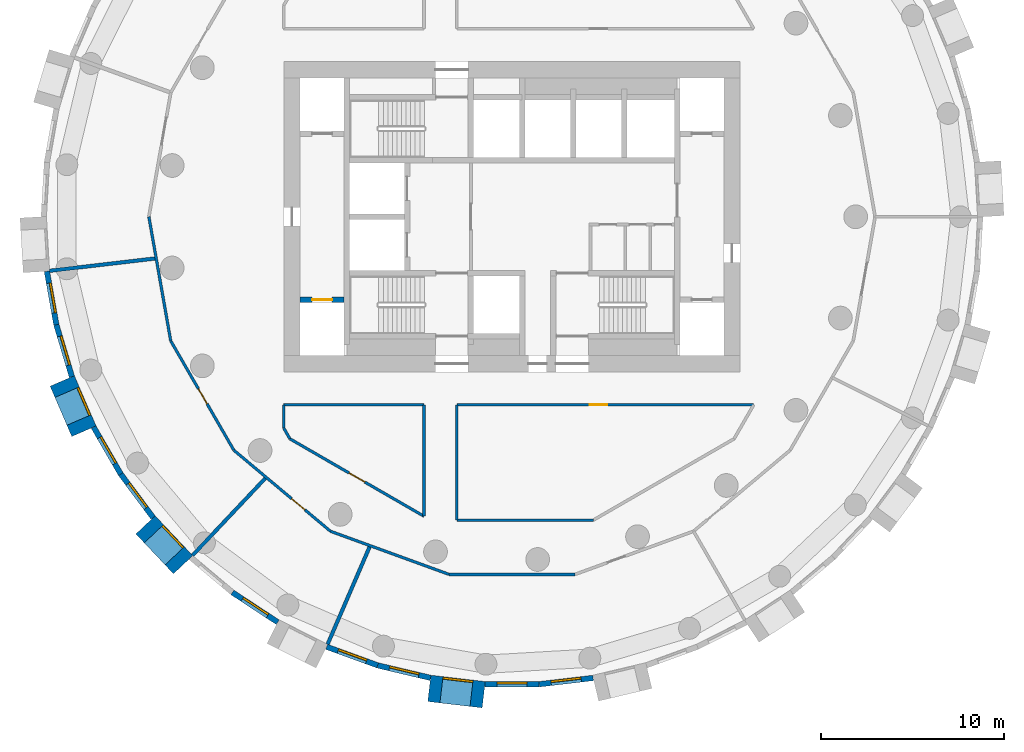
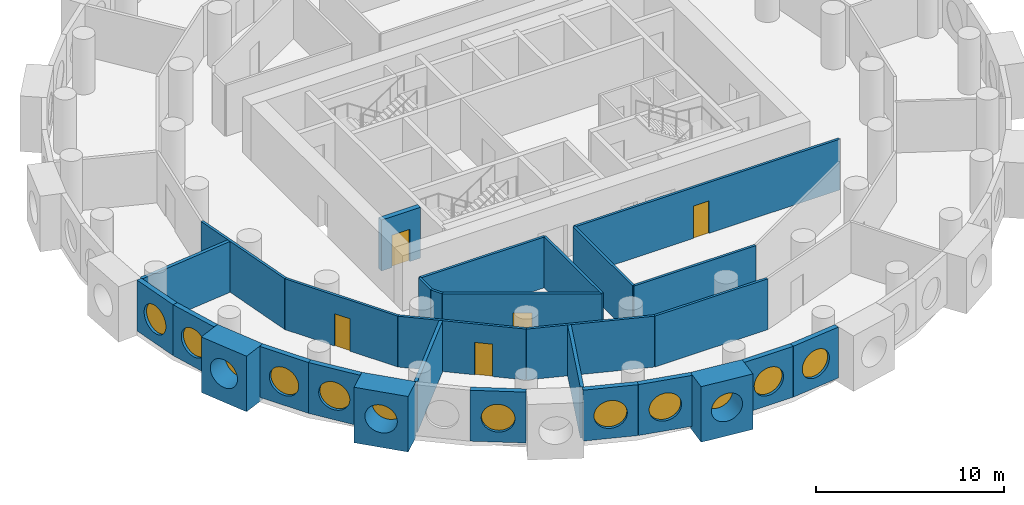
# One storey, part 2 of 9: 29 walls, 12 windows, 5 doors, 17 openings.
"""IFC4 building model written with IfcOpenShell, lengths in metres."""

from ifc_helpers import new_model, si_unit, direction, frame, frame_2d, origin, origin_2d, place, context, subcontext, project, spatial, rectangle, circle, extrude, material, layer, layer_set, type_object, element, fill, save


model = new_model("IFC4")

# Units and contexts
model_context = context("Model", 3, precision=1e-05, world=origin(), true_north=direction((0.0, 1.0)))
body_context = subcontext(model_context, "Body", "Model", "MODEL_VIEW")
ifc_project = project(units=[si_unit("LENGTHUNIT", "METRE"), si_unit("AREAUNIT", "SQUARE_METRE"), si_unit("VOLUMEUNIT", "CUBIC_METRE"), si_unit("PLANEANGLEUNIT", "RADIAN"), si_unit("MASSUNIT", "GRAM", prefix="KILO")], contexts=[model_context])

# Site, building, storey
site_placement = place(None, origin())
site = spatial("IfcSite", under=ifc_project, at=site_placement, CompositionType="ELEMENT")
building_placement = place(site_placement, origin())
building = spatial("IfcBuilding", under=site, at=building_placement, Name="Tracery Tower", CompositionType="ELEMENT")
storey_placement = place(building_placement, frame((0.0, 0.0, 151.199951171875)))
storey = spatial("IfcBuildingStorey", under=building, at=storey_placement, Name="L38", CompositionType="ELEMENT", Elevation=151.199951171875)

# Wall, opening, window
ifc_material_1 = material(Name="Precast concrete C50/60", Category="concrete")
ifc_layer_1 = layer(ifc_material_1, 1.449951171875)
ifc_layer_set_1 = layer_set([ifc_layer_1], Name="Deep-set bay unit 3000 x 3600, slab edge 300")
wall_type_1 = type_object("IfcWallType", Name="Deep-set bay unit 3000 x 3600, slab edge 300", PredefinedType="ELEMENTEDWALL", material=ifc_layer_set_1)
wall_1_placement = place(storey_placement, frame((-24.632080078125, -8.99169921875, -0.300048828125), z_axis=(0.0, 0.0, 1.0), x_axis=(0.396079003245, -0.918216435917, 0.0)))
wall_1 = element("IfcWall", 1, at=wall_1_placement, inside=storey, type_object=wall_type_1, Name="Deep-set bay unit 31 at L38", PredefinedType="ELEMENTEDWALL", context=body_context, shape_type="SweptSolid", body=[
    extrude(rectangle(XDim=3.0, YDim=1.449951171875, at=frame_2d((1.5, 0.0))), origin(), (0.0, 0.0, 1.0), 3.60009765625),
])
opening_1_placement = place(wall_1_placement, frame((1.5, 0.0, 1.85009765625)))
opening_1 = element("IfcOpeningElement", 2, at=opening_1_placement, cuts=wall_1, Name="Opening WN1", PredefinedType="OPENING", context=body_context, shape_type="SweptSolid", body=[
    extrude(circle(Radius=0.9000244140625, at=origin_2d()), frame((0.0, 0.73486328125, 0.0), z_axis=(0.0, -1.0, 0.0), x_axis=(1.0, 0.0, 0.0)), (0.0, 0.0, 1.0), 1.469970703125),
])
ifc_material_2 = material(Name="Aluminium frame with tinted double glazing", Category="aluminium")
window_type = type_object("IfcWindowType", Name="Round window 1800", PartitioningType="SINGLE_PANEL", PredefinedType="WINDOW", material=ifc_material_2)
window_1_placement = place(opening_1_placement, origin())
window_1 = element("IfcWindow", 3, at=window_1_placement, inside=storey, type_object=window_type, Name="Round window 31 at L38", OverallHeight=1.800048828125, OverallWidth=1.800048828125, PartitioningType="SINGLE_PANEL", PredefinedType="WINDOW", context=body_context, shape_type="SweptSolid", body=[
    extrude(circle(Radius=0.9000244140625, at=origin_2d()), frame((0.0, 0.69482421875, 0.0), z_axis=(0.0, -1.0, 0.0), x_axis=(1.0, 0.0, 0.0)), (0.0, 0.0, 1.0), 0.10009765625),
])
fill(opening_1, window_1)

wall_2_placement = place(storey_placement, frame((-20.0712890625, -16.8740234375, -0.300048828125), z_axis=(0.0, 0.0, 1.0), x_axis=(0.686217177108, -0.727396718334, 0.0)))
wall_2 = element("IfcWall", 4, at=wall_2_placement, inside=storey, type_object=wall_type_1, Name="Deep-set bay unit 34 at L38", PredefinedType="ELEMENTEDWALL", context=body_context, shape_type="SweptSolid", body=[
    extrude(rectangle(XDim=3.0, YDim=1.449951171875, at=frame_2d((1.5, 0.0))), origin(), (0.0, 0.0, 1.0), 3.60009765625),
])
opening_2_placement = place(wall_2_placement, frame((1.5, 0.0, 1.85009765625)))
opening_2 = element("IfcOpeningElement", 5, at=opening_2_placement, cuts=wall_2, Name="Opening WN1", PredefinedType="OPENING", context=body_context, shape_type="SweptSolid", body=[
    extrude(circle(Radius=0.9000244140625, at=origin_2d()), frame((0.0, 0.73486328125, 0.0), z_axis=(0.0, -1.0, 0.0), x_axis=(1.0, 0.0, 0.0)), (0.0, 0.0, 1.0), 1.469970703125),
])
window_2_placement = place(opening_2_placement, origin())
window_2 = element("IfcWindow", 6, at=window_2_placement, inside=storey, type_object=window_type, Name="Round window 34 at L38", OverallHeight=1.800048828125, OverallWidth=1.800048828125, PartitioningType="SINGLE_PANEL", PredefinedType="WINDOW", context=body_context, shape_type="SweptSolid", body=[
    extrude(circle(Radius=0.9000244140625, at=origin_2d()), frame((0.0, 0.69482421875, 0.0), z_axis=(0.0, -1.0, 0.0), x_axis=(1.0, 0.0, 0.0)), (0.0, 0.0, 1.0), 0.10009765625),
])
fill(opening_2, window_2)

wall_3_placement = place(storey_placement, frame((-4.529052734375, -25.827880859375, -0.300048828125), z_axis=(0.0, 0.0, 1.0), x_axis=(0.9932342274, -0.116128246006, 0.0)))
wall_3 = element("IfcWall", 7, at=wall_3_placement, inside=storey, type_object=wall_type_1, Name="Deep-set bay unit 40 at L38", PredefinedType="ELEMENTEDWALL", context=body_context, shape_type="SweptSolid", body=[
    extrude(rectangle(XDim=3.0, YDim=1.449951171875, at=frame_2d((1.5, 0.0))), origin(), (0.0, 0.0, 1.0), 3.60009765625),
])
opening_3_placement = place(wall_3_placement, frame((1.5, 0.0, 1.85009765625)))
opening_3 = element("IfcOpeningElement", 8, at=opening_3_placement, cuts=wall_3, Name="Opening WN1", PredefinedType="OPENING", context=body_context, shape_type="SweptSolid", body=[
    extrude(circle(Radius=0.9000244140625, at=origin_2d()), frame((0.0, 0.73486328125, 0.0), z_axis=(0.0, -1.0, 0.0), x_axis=(1.0, 0.0, 0.0)), (0.0, 0.0, 1.0), 1.469970703125),
])
window_3_placement = place(opening_3_placement, origin())
window_3 = element("IfcWindow", 9, at=window_3_placement, inside=storey, type_object=window_type, Name="Round window 40 at L38", OverallHeight=1.800048828125, OverallWidth=1.800048828125, PartitioningType="SINGLE_PANEL", PredefinedType="WINDOW", context=body_context, shape_type="SweptSolid", body=[
    extrude(circle(Radius=0.9000244140625, at=origin_2d()), frame((0.0, 0.69482421875, 0.0), z_axis=(0.0, -1.0, 0.0), x_axis=(1.0, 0.0, 0.0)), (0.0, 0.0, 1.0), 0.10009765625),
])
fill(opening_3, window_3)

ifc_material_3 = material(Name="Precast concrete C50/60", Category="concrete")
ifc_layer_2 = layer(ifc_material_3, 0.300048828125)
ifc_layer_set_2 = layer_set([ifc_layer_2], Name="Facade panel 3000 x 3300")
wall_type_2 = type_object("IfcWallType", Name="Facade panel 3000 x 3300", PredefinedType="SOLIDWALL", material=ifc_layer_set_2)
wall_4_placement = place(storey_placement, frame((-25.472412109375, -2.987060546875, 0.0), z_axis=(0.0, 0.0, 1.0), x_axis=(0.173686952598, -0.984800915159, 0.0)))
wall_4 = element("IfcWall", 10, at=wall_4_placement, inside=storey, type_object=wall_type_2, Name="Facade panel 29 at L38", PredefinedType="SOLIDWALL", context=body_context, shape_type="SweptSolid", body=[
    extrude(rectangle(XDim=2.972900390625, YDim=0.300048828125, at=frame_2d((1.486328125, 0.0))), origin(), (0.0, 0.0, 1.0), 3.300048828125),
])
opening_4_placement = place(wall_4_placement, frame((1.486328125, 0.0, 1.5498046875)))
opening_4 = element("IfcOpeningElement", 11, at=opening_4_placement, cuts=wall_4, Name="Opening WN1", PredefinedType="OPENING", context=body_context, shape_type="SweptSolid", body=[
    extrude(circle(Radius=0.9000244140625, at=origin_2d()), frame((0.0, 0.159912109375, 0.0), z_axis=(0.0, -1.0, 0.0), x_axis=(1.0, 0.0, 0.0)), (0.0, 0.0, 1.0), 0.320068359375),
])
window_4_placement = place(opening_4_placement, origin())
window_4 = element("IfcWindow", 12, at=window_4_placement, inside=storey, type_object=window_type, Name="Round window 29 at L38", OverallHeight=1.800048828125, OverallWidth=1.800048828125, PartitioningType="SINGLE_PANEL", PredefinedType="WINDOW", context=body_context, shape_type="SweptSolid", body=[
    extrude(circle(Radius=0.9000244140625, at=origin_2d()), frame((0.0, 0.1201171875, 0.0), z_axis=(0.0, -1.0, 0.0), x_axis=(1.0, 0.0, 0.0)), (0.0, 0.0, 1.0), 0.10009765625),
])
fill(opening_4, window_4)

wall_5_placement = place(storey_placement, frame((-24.9560546875, -5.914794921875, 0.0), z_axis=(0.0, 0.0, 1.0), x_axis=(0.286782750849, -0.957995643944, 0.0)))
wall_5 = element("IfcWall", 13, at=wall_5_placement, inside=storey, type_object=wall_type_2, Name="Facade panel 30 at L38", PredefinedType="SOLIDWALL", context=body_context, shape_type="SweptSolid", body=[
    extrude(rectangle(XDim=2.97265625, YDim=0.300048828125, at=frame_2d((1.486328125, 0.0))), origin(), (0.0, 0.0, 1.0), 3.300048828125),
])
opening_5_placement = place(wall_5_placement, frame((1.486328125, 0.0, 1.5498046875)))
opening_5 = element("IfcOpeningElement", 14, at=opening_5_placement, cuts=wall_5, Name="Opening WN1", PredefinedType="OPENING", context=body_context, shape_type="SweptSolid", body=[
    extrude(circle(Radius=0.9000244140625, at=origin_2d()), frame((0.0, 0.159912109375, 0.0), z_axis=(0.0, -1.0, 0.0), x_axis=(1.0, 0.0, 0.0)), (0.0, 0.0, 1.0), 0.320068359375),
])
window_5_placement = place(opening_5_placement, origin())
window_5 = element("IfcWindow", 15, at=window_5_placement, inside=storey, type_object=window_type, Name="Round window 30 at L38", OverallHeight=1.800048828125, OverallWidth=1.800048828125, PartitioningType="SINGLE_PANEL", PredefinedType="WINDOW", context=body_context, shape_type="SweptSolid", body=[
    extrude(circle(Radius=0.9000244140625, at=origin_2d()), frame((0.0, 0.1201171875, 0.0), z_axis=(0.0, -1.0, 0.0), x_axis=(1.0, 0.0, 0.0)), (0.0, 0.0, 1.0), 0.10009765625),
])
fill(opening_5, window_5)

wall_6_placement = place(storey_placement, frame((-22.91455078125, -11.518798828125, 0.0), z_axis=(0.0, 0.0, 1.0), x_axis=(0.499954672104, -0.866051572276, 0.0)))
wall_6 = element("IfcWall", 16, at=wall_6_placement, inside=storey, type_object=wall_type_2, Name="Facade panel 32 at L38", PredefinedType="SOLIDWALL", context=body_context, shape_type="SweptSolid", body=[
    extrude(rectangle(XDim=2.972900390625, YDim=0.300048828125, at=frame_2d((1.486328125, 0.0))), origin(), (0.0, 0.0, 1.0), 3.300048828125),
])
opening_6_placement = place(wall_6_placement, frame((1.486328125, 0.0, 1.5498046875)))
opening_6 = element("IfcOpeningElement", 17, at=opening_6_placement, cuts=wall_6, Name="Opening WN1", PredefinedType="OPENING", context=body_context, shape_type="SweptSolid", body=[
    extrude(circle(Radius=0.9000244140625, at=origin_2d()), frame((0.0, 0.159912109375, 0.0), z_axis=(0.0, -1.0, 0.0), x_axis=(1.0, 0.0, 0.0)), (0.0, 0.0, 1.0), 0.320068359375),
])
window_6_placement = place(opening_6_placement, origin())
window_6 = element("IfcWindow", 18, at=window_6_placement, inside=storey, type_object=window_type, Name="Round window 32 at L38", OverallHeight=1.800048828125, OverallWidth=1.800048828125, PartitioningType="SINGLE_PANEL", PredefinedType="WINDOW", context=body_context, shape_type="SweptSolid", body=[
    extrude(circle(Radius=0.9000244140625, at=origin_2d()), frame((0.0, 0.1201171875, 0.0), z_axis=(0.0, -1.0, 0.0), x_axis=(1.0, 0.0, 0.0)), (0.0, 0.0, 1.0), 0.10009765625),
])
fill(opening_6, window_6)

wall_7_placement = place(storey_placement, frame((-21.42822265625, -14.093505859375, 0.0), z_axis=(0.0, 0.0, 1.0), x_axis=(0.597197580538, -0.80209416517, 0.0)))
wall_7 = element("IfcWall", 19, at=wall_7_placement, inside=storey, type_object=wall_type_2, Name="Facade panel 33 at L38", PredefinedType="SOLIDWALL", context=body_context, shape_type="SweptSolid", body=[
    extrude(rectangle(XDim=2.972900390625, YDim=0.300048828125, at=frame_2d((1.486328125, 0.0))), origin(), (0.0, 0.0, 1.0), 3.300048828125),
])
opening_7_placement = place(wall_7_placement, frame((1.486328125, 0.0, 1.5498046875)))
opening_7 = element("IfcOpeningElement", 20, at=opening_7_placement, cuts=wall_7, Name="Opening WN1", PredefinedType="OPENING", context=body_context, shape_type="SweptSolid", body=[
    extrude(circle(Radius=0.9000244140625, at=origin_2d()), frame((0.0, 0.159912109375, 0.0), z_axis=(0.0, -1.0, 0.0), x_axis=(1.0, 0.0, 0.0)), (0.0, 0.0, 1.0), 0.320068359375),
])
window_7_placement = place(opening_7_placement, origin())
window_7 = element("IfcWindow", 21, at=window_7_placement, inside=storey, type_object=window_type, Name="Round window 33 at L38", OverallHeight=1.800048828125, OverallWidth=1.800048828125, PartitioningType="SINGLE_PANEL", PredefinedType="WINDOW", context=body_context, shape_type="SweptSolid", body=[
    extrude(circle(Radius=0.9000244140625, at=origin_2d()), frame((0.0, 0.1201171875, 0.0), z_axis=(0.0, -1.0, 0.0), x_axis=(1.0, 0.0, 0.0)), (0.0, 0.0, 1.0), 0.10009765625),
])
fill(opening_7, window_7)

wall_8_placement = place(storey_placement, frame((-15.315673828125, -20.572509765625, 0.0), z_axis=(0.0, 0.0, 1.0), x_axis=(0.835508361394, -0.54947773207, 0.0)))
wall_8 = element("IfcWall", 22, at=wall_8_placement, inside=storey, type_object=wall_type_2, Name="Facade panel 36 at L38", PredefinedType="SOLIDWALL", context=body_context, shape_type="SweptSolid", body=[
    extrude(rectangle(XDim=2.972900390625, YDim=0.300048828125, at=frame_2d((1.486328125, 0.0))), origin(), (0.0, 0.0, 1.0), 3.300048828125),
])
opening_8_placement = place(wall_8_placement, frame((1.486328125, 0.0, 1.5498046875)))
opening_8 = element("IfcOpeningElement", 23, at=opening_8_placement, cuts=wall_8, Name="Opening WN1", PredefinedType="OPENING", context=body_context, shape_type="SweptSolid", body=[
    extrude(circle(Radius=0.9000244140625, at=origin_2d()), frame((0.0, 0.159912109375, 0.0), z_axis=(0.0, -1.0, 0.0), x_axis=(1.0, 0.0, 0.0)), (0.0, 0.0, 1.0), 0.320068359375),
])
window_8_placement = place(opening_8_placement, origin())
window_8 = element("IfcWindow", 24, at=window_8_placement, inside=storey, type_object=window_type, Name="Round window 36 at L38", OverallHeight=1.800048828125, OverallWidth=1.800048828125, PartitioningType="SINGLE_PANEL", PredefinedType="WINDOW", context=body_context, shape_type="SweptSolid", body=[
    extrude(circle(Radius=0.9000244140625, at=origin_2d()), frame((0.0, 0.1201171875, 0.0), z_axis=(0.0, -1.0, 0.0), x_axis=(1.0, 0.0, 0.0)), (0.0, 0.0, 1.0), 0.10009765625),
])
fill(opening_8, window_8)

wall_9_placement = place(storey_placement, frame((-10.1494140625, -23.55322265625, 0.0), z_axis=(0.0, 0.0, 1.0), x_axis=(0.939690282133, -0.342026568652, 0.0)))
wall_9 = element("IfcWall", 25, at=wall_9_placement, inside=storey, type_object=wall_type_2, Name="Facade panel 38 at L38", PredefinedType="SOLIDWALL", context=body_context, shape_type="SweptSolid", body=[
    extrude(rectangle(XDim=2.972900390625, YDim=0.300048828125, at=frame_2d((1.486328125, 0.0))), origin(), (0.0, 0.0, 1.0), 3.300048828125),
])
opening_9_placement = place(wall_9_placement, frame((1.486328125, 0.0, 1.5498046875)))
opening_9 = element("IfcOpeningElement", 26, at=opening_9_placement, cuts=wall_9, Name="Opening WN1", PredefinedType="OPENING", context=body_context, shape_type="SweptSolid", body=[
    extrude(circle(Radius=0.9000244140625, at=origin_2d()), frame((0.0, 0.159912109375, 0.0), z_axis=(0.0, -1.0, 0.0), x_axis=(1.0, 0.0, 0.0)), (0.0, 0.0, 1.0), 0.320068359375),
])
window_9_placement = place(opening_9_placement, origin())
window_9 = element("IfcWindow", 27, at=window_9_placement, inside=storey, type_object=window_type, Name="Round window 38 at L38", OverallHeight=1.800048828125, OverallWidth=1.800048828125, PartitioningType="SINGLE_PANEL", PredefinedType="WINDOW", context=body_context, shape_type="SweptSolid", body=[
    extrude(circle(Radius=0.9000244140625, at=origin_2d()), frame((0.0, 0.1201171875, 0.0), z_axis=(0.0, -1.0, 0.0), x_axis=(1.0, 0.0, 0.0)), (0.0, 0.0, 1.0), 0.10009765625),
])
fill(opening_9, window_9)

wall_10_placement = place(storey_placement, frame((-7.355712890625, -24.570068359375, 0.0), z_axis=(0.0, 0.0, 1.0), x_axis=(0.973045378923, -0.230613725862, 0.0)))
wall_10 = element("IfcWall", 28, at=wall_10_placement, inside=storey, type_object=wall_type_2, Name="Facade panel 39 at L38", PredefinedType="SOLIDWALL", context=body_context, shape_type="SweptSolid", body=[
    extrude(rectangle(XDim=2.97265625, YDim=0.300048828125, at=frame_2d((1.486328125, 0.0))), origin(), (0.0, 0.0, 1.0), 3.300048828125),
])
opening_10_placement = place(wall_10_placement, frame((1.486328125, 0.0, 1.5498046875)))
opening_10 = element("IfcOpeningElement", 29, at=opening_10_placement, cuts=wall_10, Name="Opening WN1", PredefinedType="OPENING", context=body_context, shape_type="SweptSolid", body=[
    extrude(circle(Radius=0.9000244140625, at=origin_2d()), frame((0.0, 0.159912109375, 0.0), z_axis=(0.0, -1.0, 0.0), x_axis=(1.0, 0.0, 0.0)), (0.0, 0.0, 1.0), 0.320068359375),
])
window_10_placement = place(opening_10_placement, origin())
window_10 = element("IfcWindow", 30, at=window_10_placement, inside=storey, type_object=window_type, Name="Round window 39 at L38", OverallHeight=1.800048828125, OverallWidth=1.800048828125, PartitioningType="SINGLE_PANEL", PredefinedType="WINDOW", context=body_context, shape_type="SweptSolid", body=[
    extrude(circle(Radius=0.9000244140625, at=origin_2d()), frame((0.0, 0.1201171875, 0.0), z_axis=(0.0, -1.0, 0.0), x_axis=(1.0, 0.0, 0.0)), (0.0, 0.0, 1.0), 0.10009765625),
])
fill(opening_10, window_10)

wall_11_placement = place(storey_placement, frame((-1.481689453125, -25.60400390625, 0.0), z_axis=(0.0, 0.0, 1.0), x_axis=(1.0, 0.0, 0.0)))
wall_11 = element("IfcWall", 31, at=wall_11_placement, inside=storey, type_object=wall_type_2, Name="Facade panel 41 at L38", PredefinedType="SOLIDWALL", context=body_context, shape_type="SweptSolid", body=[
    extrude(rectangle(XDim=2.972900390625, YDim=0.300048828125, at=frame_2d((1.486328125, 0.0))), origin(), (0.0, 0.0, 1.0), 3.300048828125),
])
opening_11_placement = place(wall_11_placement, frame((1.486328125, 0.0, 1.5498046875)))
opening_11 = element("IfcOpeningElement", 32, at=opening_11_placement, cuts=wall_11, Name="Opening WN1", PredefinedType="OPENING", context=body_context, shape_type="SweptSolid", body=[
    extrude(circle(Radius=0.9000244140625, at=origin_2d()), frame((0.0, 0.159912109375, 0.0), z_axis=(0.0, -1.0, 0.0), x_axis=(1.0, 0.0, 0.0)), (0.0, 0.0, 1.0), 0.320068359375),
])
window_11_placement = place(opening_11_placement, origin())
window_11 = element("IfcWindow", 33, at=window_11_placement, inside=storey, type_object=window_type, Name="Round window 41 at L38", OverallHeight=1.800048828125, OverallWidth=1.800048828125, PartitioningType="SINGLE_PANEL", PredefinedType="WINDOW", context=body_context, shape_type="SweptSolid", body=[
    extrude(circle(Radius=0.9000244140625, at=origin_2d()), frame((0.0, 0.1201171875, 0.0), z_axis=(0.0, -1.0, 0.0), x_axis=(1.0, 0.0, 0.0)), (0.0, 0.0, 1.0), 0.10009765625),
])
fill(opening_11, window_11)

wall_12_placement = place(storey_placement, frame((1.4912109375, -25.60400390625, 0.0), z_axis=(0.0, 0.0, 1.0), x_axis=(0.993245010522, 0.1160359818, 0.0)))
wall_12 = element("IfcWall", 34, at=wall_12_placement, inside=storey, type_object=wall_type_2, Name="Facade panel 42 at L38", PredefinedType="SOLIDWALL", context=body_context, shape_type="SweptSolid", body=[
    extrude(rectangle(XDim=2.972900390625, YDim=0.300048828125, at=frame_2d((1.486328125, 0.0))), origin(), (0.0, 0.0, 1.0), 3.300048828125),
])
opening_12_placement = place(wall_12_placement, frame((1.486328125, 0.0, 1.5498046875)))
opening_12 = element("IfcOpeningElement", 35, at=opening_12_placement, cuts=wall_12, Name="Opening WN1", PredefinedType="OPENING", context=body_context, shape_type="SweptSolid", body=[
    extrude(circle(Radius=0.9000244140625, at=origin_2d()), frame((0.0, 0.159912109375, 0.0), z_axis=(0.0, -1.0, 0.0), x_axis=(1.0, 0.0, 0.0)), (0.0, 0.0, 1.0), 0.320068359375),
])
window_12_placement = place(opening_12_placement, origin())
window_12 = element("IfcWindow", 36, at=window_12_placement, inside=storey, type_object=window_type, Name="Round window 42 at L38", OverallHeight=1.800048828125, OverallWidth=1.800048828125, PartitioningType="SINGLE_PANEL", PredefinedType="WINDOW", context=body_context, shape_type="SweptSolid", body=[
    extrude(circle(Radius=0.9000244140625, at=origin_2d()), frame((0.0, 0.1201171875, 0.0), z_axis=(0.0, -1.0, 0.0), x_axis=(1.0, 0.0, 0.0)), (0.0, 0.0, 1.0), 0.10009765625),
])
fill(opening_12, window_12)

# Wall
ifc_material_4 = material(Name="Plasterboard on steel studs", Category="steel")
ifc_layer_3 = layer(ifc_material_4, 0.14990234375)
ifc_layer_set_3 = layer_set([ifc_layer_3], Name="Partition 150 corridor wall")
wall_type_3 = type_object("IfcWallType", Name="Partition 150 corridor wall", PredefinedType="PARTITIONING", material=ifc_layer_set_3)
wall_13_placement = place(storey_placement, frame((-12.50390625, -10.300048828125, 0.0), z_axis=(0.0, 0.0, 1.0), x_axis=(1.0, 0.0, 0.0)))
element("IfcWall", 37, at=wall_13_placement, inside=storey, type_object=wall_type_3, Name="Corridor wall RB3-003", PredefinedType="PARTITIONING", context=body_context, shape_type="SweptSolid", body=[
    extrude(rectangle(XDim=7.68701171875, YDim=0.14990234375, at=frame_2d((3.843505859375, 0.0))), origin(), (0.0, 0.0, 1.0), 3.300048828125),
])

# Wall, opening, door
wall_14_placement = place(storey_placement, frame((-3.02490234375, -10.300048828125, 0.0), z_axis=(0.0, 0.0, 1.0), x_axis=(1.0, 0.0, 0.0)))
wall_14 = element("IfcWall", 38, at=wall_14_placement, inside=storey, type_object=wall_type_3, Name="Corridor wall RB3-004", PredefinedType="PARTITIONING", context=body_context, shape_type="SweptSolid", body=[
    extrude(rectangle(XDim=16.261962890625, YDim=0.14990234375, at=frame_2d((8.130859375, 0.0))), origin(), (0.0, 0.0, 1.0), 3.300048828125),
])
opening_13_placement = place(wall_14_placement, frame((7.287109375, 0.0, 0.0)))
opening_13 = element("IfcOpeningElement", 39, at=opening_13_placement, cuts=wall_14, Name="Opening RB3-04", PredefinedType="OPENING", context=body_context, shape_type="SweptSolid", body=[
    extrude(rectangle(XDim=0.949951171875, YDim=2.10009765625, at=frame_2d((0.47509765625, 1.050048828125))), frame((0.0, 0.074951171875, 0.0), z_axis=(0.0, -1.0, 0.0), x_axis=(1.0, 0.0, 0.0)), (0.0, 0.0, 1.0), 0.14990234375),
])
ifc_material_5 = material(Name="Timber door leaf", Category="wood")
door_type_1 = type_object("IfcDoorType", Name="Door store 950", OperationType="NOTDEFINED", PredefinedType="DOOR", material=ifc_material_5)
door_1_placement = place(opening_13_placement, origin())
door_1 = element("IfcDoor", 40, at=door_1_placement, inside=storey, type_object=door_type_1, Name="Store door RB3-04", OperationType="SINGLE_SWING_RIGHT", OverallHeight=2.10009765625, OverallWidth=0.949951171875, PredefinedType="DOOR", context=body_context, shape_type="SweptSolid", body=[
    extrude(rectangle(XDim=0.949951171875, YDim=2.10009765625, at=frame_2d((0.47509765625, 1.050048828125))), frame((0.0, 0.02490234375, 0.0), z_axis=(0.0, -1.0, 0.0), x_axis=(1.0, 0.0, 0.0)), (0.0, 0.0, 1.0), 0.050048828125),
])
fill(opening_13, door_1)

# Walls
wall_15_placement = place(storey_placement, frame((-12.5, -11.576904296875, 0.0), z_axis=(0.0, 0.0, 1.0), x_axis=(0.0, 1.0, 0.0)))
element("IfcWall", 41, at=wall_15_placement, inside=storey, type_object=wall_type_3, Name="Corridor wall RB3-024", PredefinedType="PARTITIONING", context=body_context, shape_type="SweptSolid", body=[
    extrude(rectangle(XDim=1.27685546875, YDim=0.14990234375, at=frame_2d((0.638427734375, 0.0))), origin(), (0.0, 0.0, 1.0), 3.300048828125),
])
wall_16_placement = place(storey_placement, frame((-12.5, -11.576904296875, 0.0), z_axis=(0.0, 0.0, 1.0), x_axis=(0.500024767483, -0.866011103799, 0.0)))
element("IfcWall", 42, at=wall_16_placement, inside=storey, type_object=wall_type_3, Name="Corridor wall RB3-025", PredefinedType="PARTITIONING", context=body_context, shape_type="SweptSolid", body=[
    extrude(rectangle(XDim=0.67578125, YDim=0.14990234375, at=frame_2d((0.337890625, 0.0))), origin(), (0.0, 0.0, 1.0), 3.300048828125),
])
wall_17_placement = place(storey_placement, frame((-19.887939453125, 0.0, 0.0), z_axis=(0.0, 0.0, 1.0), x_axis=(0.173482860149, -0.984836888644, 0.0)))
element("IfcWall", 43, at=wall_17_placement, inside=storey, type_object=wall_type_3, Name="Corridor wall RB3-027", PredefinedType="PARTITIONING", context=body_context, shape_type="SweptSolid", body=[
    extrude(rectangle(XDim=6.906982421875, YDim=0.14990234375, at=frame_2d((3.45361328125, 0.0))), origin(), (0.0, 0.0, 1.0), 3.300048828125),
])

# Wall, opening, door
wall_18_placement = place(storey_placement, frame((-15.235107421875, -12.783935546875, 0.0), z_axis=(0.0, 0.0, 1.0), x_axis=(0.766192104565, -0.642611592567, 0.0)))
wall_18 = element("IfcWall", 44, at=wall_18_placement, inside=storey, type_object=wall_type_3, Name="Corridor wall RB3-029", PredefinedType="PARTITIONING", context=body_context, shape_type="SweptSolid", body=[
    extrude(rectangle(XDim=6.906494140625, YDim=0.14990234375, at=frame_2d((3.453125, 0.0))), origin(), (0.0, 0.0, 1.0), 3.300048828125),
])
opening_14_placement = place(wall_18_placement, frame((4.132568359375, 0.0, 0.0)))
opening_14 = element("IfcOpeningElement", 45, at=opening_14_placement, cuts=wall_18, Name="Opening RB3-16", PredefinedType="OPENING", context=body_context, shape_type="SweptSolid", body=[
    extrude(rectangle(XDim=0.949951171875, YDim=2.10009765625, at=frame_2d((0.47509765625, 1.050048828125))), frame((0.0, 0.074951171875, 0.0), z_axis=(0.0, -1.0, 0.0), x_axis=(1.0, 0.0, 0.0)), (0.0, 0.0, 1.0), 0.14990234375),
])
door_2_placement = place(opening_14_placement, origin())
door_2 = element("IfcDoor", 46, at=door_2_placement, inside=storey, type_object=door_type_1, Name="Store door RB3-16", OperationType="SINGLE_SWING_LEFT", OverallHeight=2.10009765625, OverallWidth=0.949951171875, PredefinedType="DOOR", context=body_context, shape_type="SweptSolid", body=[
    extrude(rectangle(XDim=0.949951171875, YDim=2.10009765625, at=frame_2d((0.47509765625, 1.050048828125))), frame((0.0, 0.02490234375, 0.0), z_axis=(0.0, -1.0, 0.0), x_axis=(1.0, 0.0, 0.0)), (0.0, 0.0, 1.0), 0.050048828125),
])
fill(opening_14, door_2)

wall_19_placement = place(storey_placement, frame((-18.68798828125, -6.802001953125, 0.0), z_axis=(0.0, 0.0, 1.0), x_axis=(0.499914202267, -0.866074933462, 0.0)))
wall_19 = element("IfcWall", 47, at=wall_19_placement, inside=storey, type_object=wall_type_3, Name="Corridor wall RB3-030", PredefinedType="PARTITIONING", context=body_context, shape_type="SweptSolid", body=[
    extrude(rectangle(XDim=6.906982421875, YDim=0.14990234375, at=frame_2d((3.45361328125, 0.0))), origin(), (0.0, 0.0, 1.0), 3.300048828125),
])
opening_15_placement = place(wall_19_placement, frame((3.028076171875, 0.0, 0.0)))
opening_15 = element("IfcOpeningElement", 48, at=opening_15_placement, cuts=wall_19, Name="Opening RB3-15", PredefinedType="OPENING", context=body_context, shape_type="SweptSolid", body=[
    extrude(rectangle(XDim=0.949951171875, YDim=2.10009765625, at=frame_2d((0.47509765625, 1.050048828125))), frame((0.0, 0.074951171875, 0.0), z_axis=(0.0, -1.0, 0.0), x_axis=(1.0, 0.0, 0.0)), (0.0, 0.0, 1.0), 0.14990234375),
])
door_3_placement = place(opening_15_placement, origin())
door_3 = element("IfcDoor", 49, at=door_3_placement, inside=storey, type_object=door_type_1, Name="Store door RB3-15", OperationType="SINGLE_SWING_LEFT", OverallHeight=2.10009765625, OverallWidth=0.949951171875, PredefinedType="DOOR", context=body_context, shape_type="SweptSolid", body=[
    extrude(rectangle(XDim=0.949951171875, YDim=2.10009765625, at=frame_2d((0.47509765625, 1.050048828125))), frame((0.0, 0.02490234375, 0.0), z_axis=(0.0, -1.0, 0.0), x_axis=(1.0, 0.0, 0.0)), (0.0, 0.0, 1.0), 0.050048828125),
])
fill(opening_15, door_3)

wall_20_placement = place(storey_placement, frame((-12.162109375, -12.162109375, 0.0), z_axis=(0.0, 0.0, 1.0), x_axis=(0.866004766557, -0.500035743023, 0.0)))
wall_20 = element("IfcWall", 50, at=wall_20_placement, inside=storey, type_object=wall_type_3, Name="Corridor wall RB3-031", PredefinedType="PARTITIONING", context=body_context, shape_type="SweptSolid", body=[
    extrude(rectangle(XDim=8.47705078125, YDim=0.14990234375, at=frame_2d((4.238525390625, 0.0))), origin(), (0.0, 0.0, 1.0), 3.300048828125),
])
opening_16_placement = place(wall_20_placement, frame((3.738037109375, 0.0, 0.0)))
opening_16 = element("IfcOpeningElement", 51, at=opening_16_placement, cuts=wall_20, Name="Opening RB3-03", PredefinedType="OPENING", context=body_context, shape_type="SweptSolid", body=[
    extrude(rectangle(XDim=1.0, YDim=2.0400390625, at=frame_2d((0.5, 1.02001953125))), frame((0.0, 0.074951171875, 0.0), z_axis=(0.0, -1.0, 0.0), x_axis=(1.0, 0.0, 0.0)), (0.0, 0.0, 1.0), 0.14990234375),
])
ifc_material_6 = material(Name="Timber door leaf", Category="wood")
door_type_2 = type_object("IfcDoorType", Name="Door communal room 1000", OperationType="NOTDEFINED", PredefinedType="DOOR", material=ifc_material_6)
door_4_placement = place(opening_16_placement, origin())
door_4 = element("IfcDoor", 52, at=door_4_placement, inside=storey, type_object=door_type_2, Name="Communal room door RB3-03", OperationType="SINGLE_SWING_LEFT", OverallHeight=2.0400390625, OverallWidth=1.0, PredefinedType="DOOR", context=body_context, shape_type="SweptSolid", body=[
    extrude(rectangle(XDim=1.0, YDim=2.0400390625, at=frame_2d((0.5, 1.02001953125))), frame((0.0, 0.02490234375, 0.0), z_axis=(0.0, -1.0, 0.0), x_axis=(1.0, 0.0, 0.0)), (0.0, 0.0, 1.0), 0.050048828125),
])
fill(opening_16, door_4)

# Walls
wall_21_placement = place(storey_placement, frame((-4.821044921875, -16.40087890625, 0.0), z_axis=(0.0, 0.0, 1.0), x_axis=(0.0, 1.0, 0.0)))
element("IfcWall", 53, at=wall_21_placement, inside=storey, type_object=wall_type_3, Name="Corridor wall RB3-032", PredefinedType="PARTITIONING", context=body_context, shape_type="SweptSolid", body=[
    extrude(rectangle(XDim=6.100830078125, YDim=0.14990234375, at=frame_2d((3.05029296875, 0.0))), origin(), (0.0, 0.0, 1.0), 3.300048828125),
])
wall_22_placement = place(storey_placement, frame((-3.02099609375, -16.614013671875, 0.0), z_axis=(0.0, 0.0, 1.0), x_axis=(0.0, 1.0, 0.0)))
element("IfcWall", 54, at=wall_22_placement, inside=storey, type_object=wall_type_3, Name="Corridor wall RB3-033", PredefinedType="PARTITIONING", context=body_context, shape_type="SweptSolid", body=[
    extrude(rectangle(XDim=6.31396484375, YDim=0.14990234375, at=frame_2d((3.156982421875, 0.0))), origin(), (0.0, 0.0, 1.0), 3.300048828125),
])
wall_23_placement = place(storey_placement, frame((-3.02099609375, -16.614013671875, 0.0), z_axis=(0.0, 0.0, 1.0), x_axis=(1.0, 0.0, 0.0)))
element("IfcWall", 55, at=wall_23_placement, inside=storey, type_object=wall_type_3, Name="Corridor wall RB3-034", PredefinedType="PARTITIONING", context=body_context, shape_type="SweptSolid", body=[
    extrude(rectangle(XDim=7.472900390625, YDim=0.14990234375, at=frame_2d((3.736328125, 0.0))), origin(), (0.0, 0.0, 1.0), 3.300048828125),
])
wall_24_placement = place(storey_placement, frame((-9.944091796875, -17.222900390625, 0.0), z_axis=(0.0, 0.0, 1.0), x_axis=(0.939737689664, -0.341896292208, 0.0)))
element("IfcWall", 56, at=wall_24_placement, inside=storey, type_object=wall_type_3, Name="Corridor wall RB3-036", PredefinedType="PARTITIONING", context=body_context, shape_type="SweptSolid", body=[
    extrude(rectangle(XDim=6.907958984375, YDim=0.14990234375, at=frame_2d((3.4541015625, 0.0))), origin(), (0.0, 0.0, 1.0), 3.300048828125),
])
wall_25_placement = place(storey_placement, frame((-3.452880859375, -19.5859375, 0.0), z_axis=(0.0, 0.0, 1.0), x_axis=(1.0, 0.0, 0.0)))
element("IfcWall", 57, at=wall_25_placement, inside=storey, type_object=wall_type_3, Name="Corridor wall RB3-038", PredefinedType="PARTITIONING", context=body_context, shape_type="SweptSolid", body=[
    extrude(rectangle(XDim=6.90576171875, YDim=0.14990234375, at=frame_2d((3.452880859375, 0.0))), origin(), (0.0, 0.0, 1.0), 3.300048828125),
])
ifc_material_7 = material(Name="Plasterboard on steel studs", Category="steel")
ifc_layer_4 = layer(ifc_material_7, 0.199951171875)
ifc_layer_set_4 = layer_set([ifc_layer_4], Name="Partition 200 compartment wall")
wall_type_4 = type_object("IfcWallType", Name="Partition 200 compartment wall", PredefinedType="PARTITIONING", material=ifc_layer_set_4)
for number, where, z_axis, x_axis, name in (
    (58, (-25.324951171875, -2.9599609375, 0.0), (0.0, 0.0, 1.0), (0.993249747924, 0.115995423397, 0.0), "Compartment wall RB3-053"),
    (59, (-17.4970703125, -18.5458984375, 0.0), (0.0, 0.0, 1.0), (0.6862502776, 0.72736549031, 0.0), "Compartment wall RB3-054"),
):
    element("IfcWall", number, at=place(storey_placement, frame(where, z_axis=z_axis, x_axis=x_axis)), inside=storey, type_object=wall_type_4, Name=name, PredefinedType="PARTITIONING", context=body_context, shape_type="SweptSolid", body=[
        extrude(rectangle(XDim=5.878662109375, YDim=0.199951171875, at=frame_2d((2.939453125, 0.0))), origin(), (0.0, 0.0, 1.0), 3.300048828125),
    ])
wall_26_placement = place(storey_placement, frame((-10.09912109375, -23.412109375, 0.0), z_axis=(0.0, 0.0, 1.0), x_axis=(0.39601833725, 0.918242602236, 0.0)))
element("IfcWall", 60, at=wall_26_placement, inside=storey, type_object=wall_type_4, Name="Compartment wall RB3-055", PredefinedType="PARTITIONING", context=body_context, shape_type="SweptSolid", body=[
    extrude(rectangle(XDim=5.87890625, YDim=0.199951171875, at=frame_2d((2.939453125, 0.0))), origin(), (0.0, 0.0, 1.0), 3.300048828125),
])

# Wall, opening, door
ifc_material_8 = material(Name="Concrete C50/60", Category="concrete")
ifc_layer_5 = layer(ifc_material_8, 0.300048828125)
ifc_layer_set_5 = layer_set([ifc_layer_5], Name="Shaft wall 300 C50")
wall_type_5 = type_object("IfcWallType", Name="Shaft wall 300 C50", PredefinedType="SOLIDWALL", material=ifc_layer_set_5)
wall_27_placement = place(storey_placement, frame((-11.60009765625, -4.550048828125, 0.0), z_axis=(0.0, 0.0, 1.0), x_axis=(1.0, 0.0, 0.0)))
wall_27 = element("IfcWall", 61, at=wall_27_placement, inside=storey, type_object=wall_type_5, Name="L38 MR W -4.55", PredefinedType="SOLIDWALL", context=body_context, shape_type="SweptSolid", body=[
    extrude(rectangle(XDim=2.400146484375, YDim=0.300048828125, at=frame_2d((1.2001953125, 0.0))), origin(), (0.0, 0.0, 1.0), 3.300048828125),
])
opening_17_placement = place(wall_27_placement, frame((0.64990234375, 0.0, 0.0)))
opening_17 = element("IfcOpeningElement", 62, at=opening_17_placement, cuts=wall_27, Name="Opening KD50", PredefinedType="OPENING", context=body_context, shape_type="SweptSolid", body=[
    extrude(rectangle(XDim=1.10009765625, YDim=2.10009765625, at=frame_2d((0.550048828125, 1.050048828125))), frame((0.0, 0.14990234375, 0.0), z_axis=(0.0, -1.0, 0.0), x_axis=(1.0, 0.0, 0.0)), (0.0, 0.0, 1.0), 0.300048828125),
])
ifc_material_9 = material(Name="Steel fire door", Category="steel")
door_type_3 = type_object("IfcDoorType", Name="Landing door 1100", OperationType="NOTDEFINED", PredefinedType="DOOR", material=ifc_material_9)
door_5_placement = place(opening_17_placement, origin())
door_5 = element("IfcDoor", 63, at=door_5_placement, inside=storey, type_object=door_type_3, Name="Landing door MR1", OperationType="SLIDING_TO_RIGHT", OverallHeight=2.10009765625, OverallWidth=1.10009765625, PredefinedType="DOOR", context=body_context, shape_type="SweptSolid", body=[
    extrude(rectangle(XDim=1.10009765625, YDim=2.10009765625, at=frame_2d((0.550048828125, 1.050048828125))), frame((0.0, 0.02490234375, 0.0), z_axis=(0.0, -1.0, 0.0), x_axis=(1.0, 0.0, 0.0)), (0.0, 0.0, 1.0), 0.050048828125),
])
fill(opening_17, door_5)

save(model, "model.ifc")
